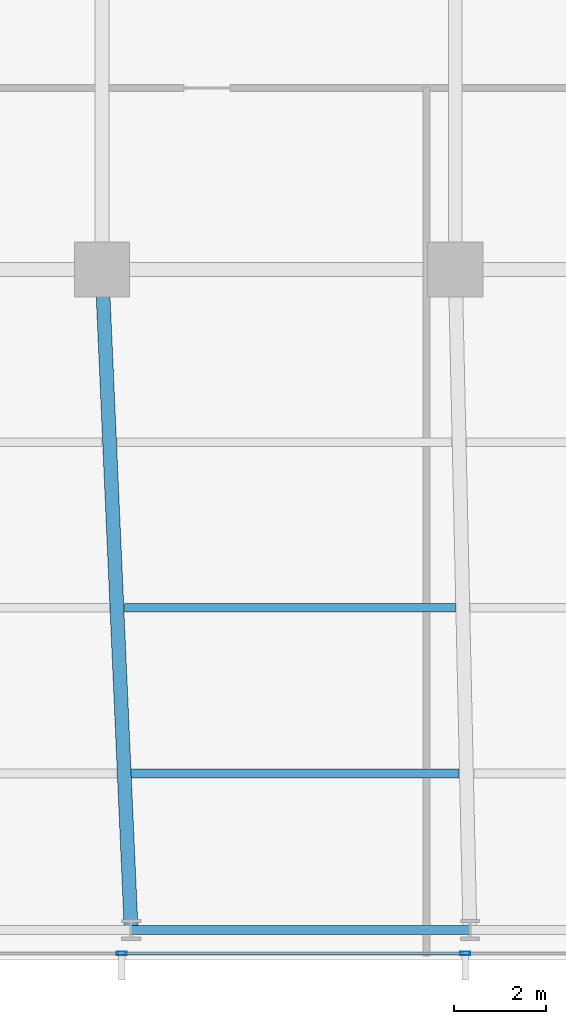
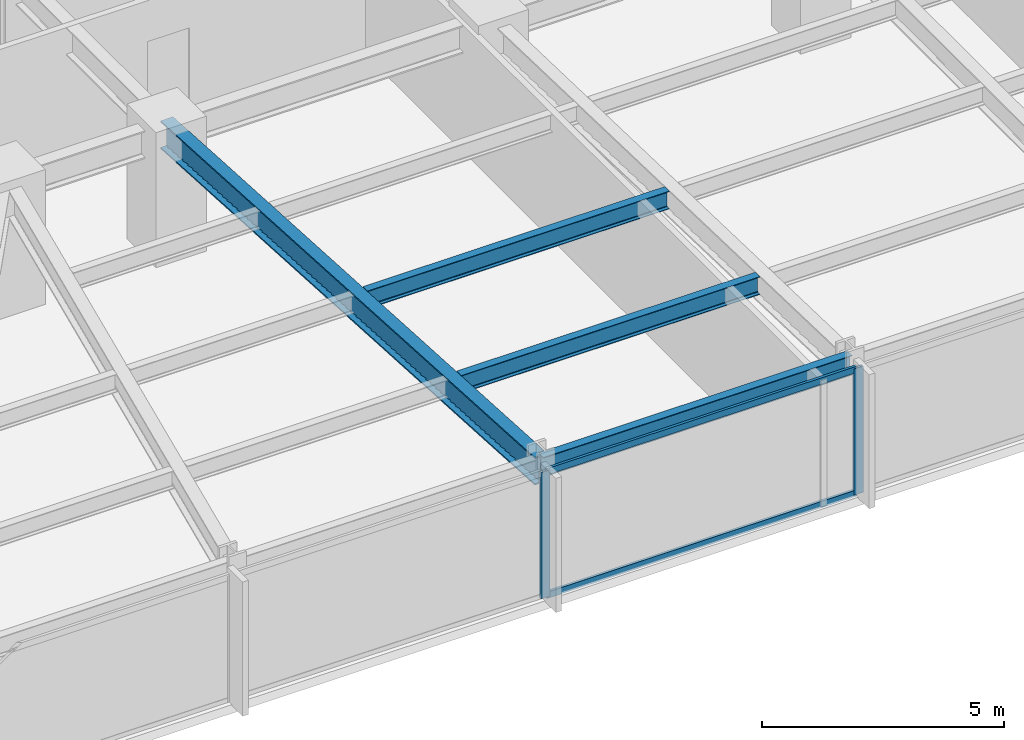
# One storey, part 5 of 32: 4 beams, 4 members, 1 element without a shape of its own.
"""IFC4 building model written with IfcOpenShell, lengths in metres."""

from ifc_helpers import new_model, si_unit, direction, frame, origin, origin_2d, place, context, subcontext, project, spatial, hollow_rectangle, i_section, extrude, material, material_profile, profile_set, type_object, element, aggregate, save


model = new_model("IFC4")

# Units and contexts
model_context = context("Model", 3, precision=1e-05, world=origin(), true_north=direction((0.0, 1.0)))
body_context = subcontext(model_context, "Body", "Model", "MODEL_VIEW")
ifc_project = project(units=[si_unit("LENGTHUNIT", "METRE"), si_unit("AREAUNIT", "SQUARE_METRE"), si_unit("VOLUMEUNIT", "CUBIC_METRE"), si_unit("PLANEANGLEUNIT", "RADIAN"), si_unit("MASSUNIT", "GRAM", prefix="KILO")], contexts=[model_context])

# Site, building, storey
site_placement = place(None, origin())
site = spatial("IfcSite", under=ifc_project, at=site_placement, CompositionType="ELEMENT")
building_placement = place(site_placement, origin())
building = spatial("IfcBuilding", under=site, at=building_placement, Name="Yelkora Congress Tower", CompositionType="ELEMENT")
storey_placement = place(building_placement, frame((0.0, 0.0, 67.800048828125)))
storey = spatial("IfcBuildingStorey", under=building, at=storey_placement, Name="L17", CompositionType="ELEMENT", Elevation=67.800048828125)

# Beams
ifc_material_1 = material(Name="Steel S355J2", Category="steel")
ifc_material_profile_1 = material_profile(ifc_material_1, i_section(OverallWidth=0.300048828125, OverallDepth=0.699951171875, WebThickness=0.01708984375, FlangeThickness=0.031982421875, FilletRadius=0.027099609375, at=origin_2d()), Name="HEB 700")
ifc_profile_set_1 = profile_set([ifc_material_profile_1], Name="Steel S355J2")
beam_type_1 = type_object("IfcBeamType", Name="BM-GIRD-HEB700", PredefinedType="BEAM", material=ifc_profile_set_1)
beam_1_placement = place(storey_placement, frame((23.675048828125, 10.85009765625, 2.829833984375), z_axis=(-0.044208738849, 0.999022315771, 0.0), x_axis=(-0.999022315771, -0.044208738849, 0.0)))
element("IfcBeam", 1, at=beam_1_placement, inside=storey, type_object=beam_type_1, Name="L17 Primary Frame Girder S03", PredefinedType="BEAM", context=body_context, shape_type="SweptSolid", body=[
    extrude(i_section(OverallWidth=0.300048828125, OverallDepth=0.699951171875, WebThickness=0.01708984375, FlangeThickness=0.031982421875, FilletRadius=0.027099609375, at=origin_2d()), origin(), (0.0, 0.0, 1.0), 14.364013671875),
])
ifc_material_profile_2 = material_profile(ifc_material_1, i_section(OverallWidth=0.18994140625, OverallDepth=0.449951171875, WebThickness=0.009521484375, FlangeThickness=0.0146484375, FilletRadius=0.02099609375, at=origin_2d()), Name="IPE 450")
ifc_profile_set_2 = profile_set([ifc_material_profile_2], Name="Steel S355J2")
beam_type_2 = type_object("IfcBeamType", Name="BM-JOIST-IPE450", PredefinedType="JOIST", material=ifc_profile_set_2)
beam_2_placement = place(storey_placement, frame((23.6845703125, 14.25, 2.954833984375), z_axis=(1.0, 0.0, 0.0), x_axis=(0.0, 1.0, 0.0)))
element("IfcBeam", 2, at=beam_2_placement, inside=storey, type_object=beam_type_2, Name="L17 Composite Floor Joist 3", PredefinedType="JOIST", context=body_context, shape_type="SweptSolid", body=[
    extrude(i_section(OverallWidth=0.18994140625, OverallDepth=0.449951171875, WebThickness=0.009521484375, FlangeThickness=0.0146484375, FilletRadius=0.02099609375, at=origin_2d()), origin(), (0.0, 0.0, 1.0), 7.11767578125),
])
beam_3_placement = place(storey_placement, frame((23.525146484375, 17.85009765625, 2.954833984375), z_axis=(1.0, 0.0, 0.0), x_axis=(0.0, 1.0, 0.0)))
element("IfcBeam", 3, at=beam_3_placement, inside=storey, type_object=beam_type_2, Name="L17 Composite Floor Joist 11", PredefinedType="JOIST", context=body_context, shape_type="SweptSolid", body=[
    extrude(i_section(OverallWidth=0.18994140625, OverallDepth=0.449951171875, WebThickness=0.009521484375, FlangeThickness=0.0146484375, FilletRadius=0.02099609375, at=origin_2d()), origin(), (0.0, 0.0, 1.0), 7.197509765625),
])
ifc_material_profile_3 = material_profile(ifc_material_1, i_section(OverallWidth=0.199951171875, OverallDepth=0.5, WebThickness=0.01025390625, FlangeThickness=0.01611328125, FilletRadius=0.02099609375, at=origin_2d()), Name="IPE 500")
ifc_profile_set_3 = profile_set([ifc_material_profile_3], Name="Steel S355J2")
beam_type_3 = type_object("IfcBeamType", Name="BM-SPAN-IPE500", PredefinedType="SPANDREL", material=ifc_profile_set_3)
beam_4_placement = place(storey_placement, frame((23.675048828125, 10.85009765625, 2.929931640625), z_axis=(1.0, 0.0, 0.0), x_axis=(0.0, 1.0, 0.0)))
element("IfcBeam", 4, at=beam_4_placement, inside=storey, type_object=beam_type_3, Name="L17 Perimeter Beam 4", PredefinedType="SPANDREL", context=body_context, shape_type="SweptSolid", body=[
    extrude(i_section(OverallWidth=0.199951171875, OverallDepth=0.5, WebThickness=0.01025390625, FlangeThickness=0.01611328125, FilletRadius=0.02099609375, at=origin_2d()), origin(), (0.0, 0.0, 1.0), 7.362548828125),
])

# Curtain wall, members
ifc_material_2 = material(Name="Anodised aluminium and insulated glass", Category="aluminium")
curtain_wall_type = type_object("IfcCurtainWallType", Name="CW-SYS-B1", PredefinedType="NOTDEFINED", material=ifc_material_2)
curtain_wall_placement = place(storey_placement, origin())
curtain_wall = element("IfcCurtainWall", 5, at=curtain_wall_placement, inside=storey, type_object=curtain_wall_type, Name="L17 Unitised Curtain Wall 20", PredefinedType="NOTDEFINED")
ifc_material_3 = material(Name="Anodised aluminium 6063-T6", Category="aluminium")
ifc_material_profile_4 = material_profile(ifc_material_3, hollow_rectangle(XDim=0.074951171875, YDim=0.219970703125, WallThickness=0.0048828125, at=origin_2d()), Name="ALU 75x220x5")
ifc_profile_set_4 = profile_set([ifc_material_profile_4], Name="Anodised aluminium 6063-T6")
member_type_1 = type_object("IfcMemberType", Name="MEM-ML-B1", PredefinedType="MULLION", material=ifc_profile_set_4)
member_1_placement = place(storey_placement, frame((30.93505859375, 10.340087890625, 0.0), z_axis=(0.0, 0.0, 1.0), x_axis=(0.0, -1.0, 0.0)))
member_1 = element("IfcMember", 6, at=member_1_placement, type_object=member_type_1, Name="CW-B1 mullion 6", PredefinedType="MULLION", context=body_context, shape_type="SweptSolid", body=[
    extrude(hollow_rectangle(XDim=0.074951171875, YDim=0.219970703125, WallThickness=0.0048828125, at=origin_2d()), origin(), (0.0, 0.0, 1.0), 3.179931640625),
])
member_2_placement = place(storey_placement, frame((23.469970703125, 10.340087890625, 0.0), z_axis=(0.0, 0.0, 1.0), x_axis=(0.0, -1.0, 0.0)))
member_2 = element("IfcMember", 7, at=member_2_placement, type_object=member_type_1, Name="CW-B1 mullion 7", PredefinedType="MULLION", context=body_context, shape_type="SweptSolid", body=[
    extrude(hollow_rectangle(XDim=0.074951171875, YDim=0.219970703125, WallThickness=0.0048828125, at=origin_2d()), origin(), (0.0, 0.0, 1.0), 3.179931640625),
])
ifc_material_profile_5 = material_profile(ifc_material_3, hollow_rectangle(XDim=0.06494140625, YDim=0.159912109375, WallThickness=0.00390625, at=origin_2d()), Name="ALU 65x160x4")
ifc_profile_set_5 = profile_set([ifc_material_profile_5], Name="Anodised aluminium 6063-T6")
member_type_2 = type_object("IfcMemberType", Name="MEM-TR-B1", PredefinedType="USERDEFINED", material=ifc_profile_set_5)
member_3_placement = place(storey_placement, frame((30.8974609375, 10.340087890625, 0.032470703125), z_axis=(-1.0, 0.0, 0.0), x_axis=(0.0, -1.0, 0.0)))
member_3 = element("IfcMember", 8, at=member_3_placement, type_object=member_type_2, Name="CW-B1 transom 6.1", ObjectType="TRANSOM", PredefinedType="USERDEFINED", context=body_context, shape_type="SweptSolid", body=[
    extrude(hollow_rectangle(XDim=0.06494140625, YDim=0.159912109375, WallThickness=0.00390625, at=origin_2d()), origin(), (0.0, 0.0, 1.0), 7.389892578125),
])
member_4_placement = place(storey_placement, frame((30.8974609375, 10.340087890625, 3.1474609375), z_axis=(-1.0, 0.0, 0.0), x_axis=(0.0, -1.0, 0.0)))
member_4 = element("IfcMember", 9, at=member_4_placement, type_object=member_type_2, Name="CW-B1 transom 6.2", ObjectType="TRANSOM", PredefinedType="USERDEFINED", context=body_context, shape_type="SweptSolid", body=[
    extrude(hollow_rectangle(XDim=0.06494140625, YDim=0.159912109375, WallThickness=0.00390625, at=origin_2d()), origin(), (0.0, 0.0, 1.0), 7.389892578125),
])
aggregate(curtain_wall, [member_1, member_2, member_3, member_4])

save(model, "model.ifc")
